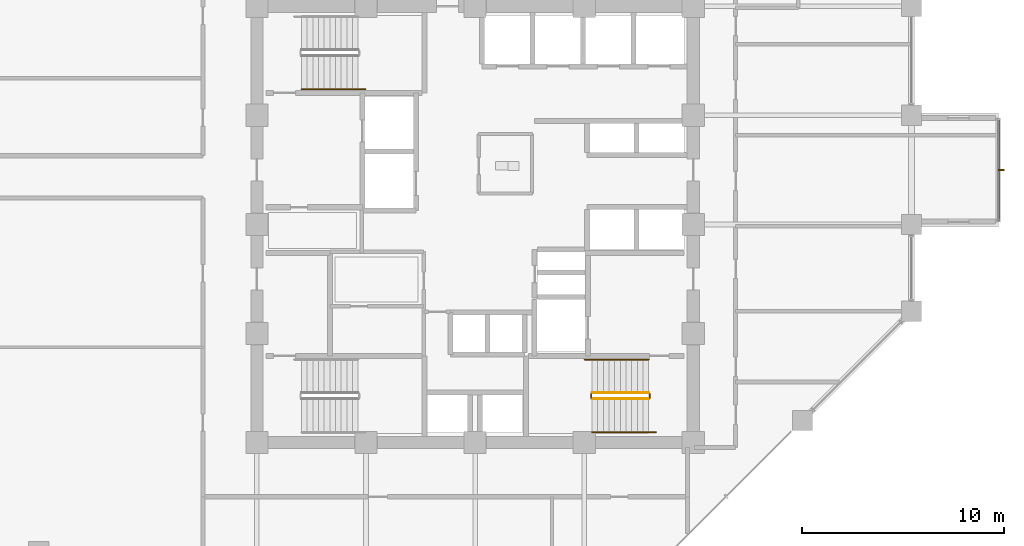
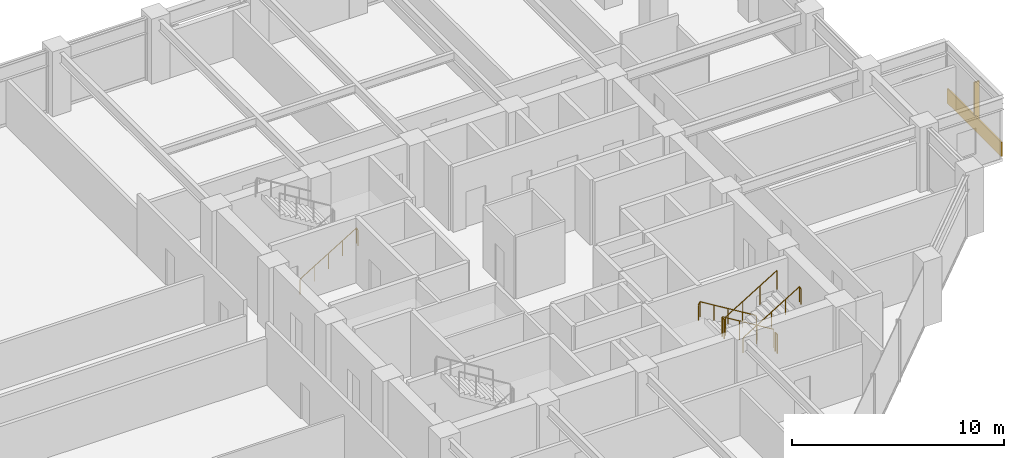
# One storey, part 24 of 26: 7 railings, 1 covering, 1 shading device.
"""IFC4 building model written with IfcOpenShell, lengths in metres."""

from ifc_helpers import new_model, si_unit, direction, frame, origin, origin_2d, place, context, subcontext, project, spatial, rectangle, circle, extrude, material, layer, layer_set, type_object, element, save


model = new_model("IFC4")

# Units and contexts
model_context = context("Model", 3, precision=1e-05, world=origin(), true_north=direction((0.0, 1.0)))
body_context = subcontext(model_context, "Body", "Model", "MODEL_VIEW")
ifc_project = project(units=[si_unit("LENGTHUNIT", "METRE"), si_unit("AREAUNIT", "SQUARE_METRE"), si_unit("VOLUMEUNIT", "CUBIC_METRE"), si_unit("PLANEANGLEUNIT", "RADIAN"), si_unit("MASSUNIT", "GRAM", prefix="KILO")], contexts=[model_context])

# Site, building, storey
site_placement = place(None, origin())
site = spatial("IfcSite", under=ifc_project, at=site_placement, CompositionType="ELEMENT")
building_placement = place(site_placement, origin())
building = spatial("IfcBuilding", under=site, at=building_placement, Name="Surkhivell Harbour Commons", CompositionType="ELEMENT")
storey_placement = place(building_placement, frame((0.0, 0.0, 147.0)))
storey = spatial("IfcBuildingStorey", under=building, at=storey_placement, Name="L38", CompositionType="ELEMENT", Elevation=147.0)

# Covering
ifc_material_1 = material(Name="Cobalt-azure enamelled aluminium cassette panel", Category="aluminium")
ifc_layer = layer(ifc_material_1, 0.072021484375)
ifc_layer_set = layer_set([ifc_layer], Name="Cobalt-azure enamelled aluminium cassette panel")
covering_type = type_object("IfcCoveringType", Name="COV-CLAD-COB", PredefinedType="CLADDING", material=ifc_layer_set)
covering_placement = place(storey_placement, frame((25.93994140625, 2.699951171875, 0.0), z_axis=(0.0, 0.0, 1.0), x_axis=(1.0, 0.0, 0.0)))
element("IfcCovering", 1, at=covering_placement, inside=storey, type_object=covering_type, Name="L38 Coloured-Panel Box Spandrel Cassette 01", PredefinedType="CLADDING", context=body_context, shape_type="SweptSolid", body=[
    extrude(rectangle(XDim=0.080078125, YDim=5.10009765625, at=origin_2d()), origin(), (0.0, 0.0, 1.0), 0.840087890625),
])

# Railings
ifc_material_2 = material(Name="Galvanised and painted steel S355 guard rail", Category="steel")
railing_type_1 = type_object("IfcRailingType", Name="RAL-ST-GRD1100", PredefinedType="GUARDRAIL", material=ifc_material_2)
railing_1_placement = place(storey_placement, frame((8.590087890625, -8.340087890625, 0.17041015625)))
element("IfcRailing", 2, at=railing_1_placement, inside=storey, type_object=railing_type_1, Name="L38 ST2 stair guard 1", PredefinedType="GUARDRAIL", context=body_context, shape_type="SweptSolid", body=[
    extrude(circle(Radius=0.02392578125, at=origin_2d()), frame((0.0, 0.0, 1.076171875), z_axis=(-0.854169791009, 0.0, 0.51999420009), x_axis=(0.0, -1.0, 0.0)), (0.0, 0.0, 1.0), 3.278076171875),
    extrude(circle(Radius=0.02099609375, at=origin_2d()), origin(), (0.0, 0.0, 1.0), 1.052001953125),
    extrude(circle(Radius=0.02099609375, at=origin_2d()), frame((-0.933349609375, 0.0, 0.568115234375)), (0.0, 0.0, 1.0), 1.052001953125),
    extrude(circle(Radius=0.02099609375, at=origin_2d()), frame((-1.86669921875, 0.0, 1.136474609375)), (0.0, 0.0, 1.0), 1.052001953125),
    extrude(circle(Radius=0.02099609375, at=origin_2d()), frame((-2.800048828125, 0.0, 1.70458984375)), (0.0, 0.0, 1.0), 1.052001953125),
])
railing_2_placement = place(storey_placement, frame((5.739990234375, -8.389892578125, 1.875)))
element("IfcRailing", 3, at=railing_2_placement, inside=storey, type_object=railing_type_1, Name="L38 ST2 stair guard 2", PredefinedType="GUARDRAIL", context=body_context, shape_type="SweptSolid", body=[
    extrude(circle(Radius=0.02392578125, at=origin_2d()), frame((0.0, 0.0, 1.076171875), z_axis=(0.0, -1.0, 0.0), x_axis=(1.0, 0.0, 0.0)), (0.0, 0.0, 1.0), 0.2001953125),
    extrude(circle(Radius=0.02099609375, at=origin_2d()), origin(), (0.0, 0.0, 1.0), 1.052001953125),
    extrude(circle(Radius=0.02099609375, at=origin_2d()), frame((0.0, -0.2001953125, 0.0)), (0.0, 0.0, 1.0), 1.052001953125),
])
railing_3_placement = place(storey_placement, frame((5.7900390625, -8.639892578125, 2.04541015625)))
element("IfcRailing", 4, at=railing_3_placement, inside=storey, type_object=railing_type_1, Name="L38 ST2 stair guard 3", PredefinedType="GUARDRAIL", context=body_context, shape_type="SweptSolid", body=[
    extrude(circle(Radius=0.02392578125, at=origin_2d()), frame((0.0, 0.0, 1.076171875), z_axis=(0.854169791009, 0.0, 0.51999420009), x_axis=(0.0, 1.0, 0.0)), (0.0, 0.0, 1.0), 3.278076171875),
    extrude(circle(Radius=0.02099609375, at=origin_2d()), origin(), (0.0, 0.0, 1.0), 1.052001953125),
    extrude(circle(Radius=0.02099609375, at=origin_2d()), frame((0.933349609375, 0.0, 0.568115234375)), (0.0, 0.0, 1.0), 1.052001953125),
    extrude(circle(Radius=0.02099609375, at=origin_2d()), frame((1.86669921875, 0.0, 1.136474609375)), (0.0, 0.0, 1.0), 1.052001953125),
    extrude(circle(Radius=0.02099609375, at=origin_2d()), frame((2.800048828125, 0.0, 1.70458984375)), (0.0, 0.0, 1.0), 1.052001953125),
])
railing_4_placement = place(storey_placement, frame((8.639892578125, -8.389892578125, 0.0)))
element("IfcRailing", 5, at=railing_4_placement, inside=storey, type_object=railing_type_1, Name="L38 ST2 stair guard 4", PredefinedType="GUARDRAIL", context=body_context, shape_type="SweptSolid", body=[
    extrude(circle(Radius=0.02392578125, at=origin_2d()), frame((0.0, 0.0, 1.076171875), z_axis=(0.0, -1.0, 0.0), x_axis=(1.0, 0.0, 0.0)), (0.0, 0.0, 1.0), 0.2001953125),
    extrude(circle(Radius=0.02099609375, at=origin_2d()), origin(), (0.0, 0.0, 1.0), 1.052001953125),
    extrude(circle(Radius=0.02099609375, at=origin_2d()), frame((0.0, -0.2001953125, 0.0)), (0.0, 0.0, 1.0), 1.052001953125),
])
ifc_material_3 = material(Name="Brushed stainless steel S355 handrail", Category="steel")
railing_type_2 = type_object("IfcRailingType", Name="RAL-ST-HND900", PredefinedType="HANDRAIL", material=ifc_material_3)
railing_5_placement = place(storey_placement, frame((-8.590087890625, 6.68994140625, 0.17041015625)))
element("IfcRailing", 6, at=railing_5_placement, inside=storey, type_object=railing_type_2, Name="L38 ST1 stair handrail 1", PredefinedType="HANDRAIL", context=body_context, shape_type="SweptSolid", body=[
    extrude(circle(Radius=0.02392578125, at=origin_2d()), frame((0.0, 0.0, 0.8759765625), z_axis=(0.854177636135, 0.0, 0.519981313056), x_axis=(0.0, 1.0, 0.0)), (0.0, 0.0, 1.0), 3.60595703125),
    extrude(circle(Radius=0.02392578125, at=origin_2d()), frame((3.080078125, 0.0, 2.7509765625), z_axis=(0.425297416671, 0.0, -0.905053648892), x_axis=(0.0, 1.0, 0.0)), (0.0, 0.0, 1.0), 0.188232421875),
    extrude(circle(Radius=0.02099609375, at=origin_2d()), origin(), (0.0, 0.0, 1.0), 0.851806640625),
    extrude(circle(Radius=0.02099609375, at=origin_2d()), frame((0.77001953125, 0.0, 0.46875)), (0.0, 0.0, 1.0), 0.851806640625),
    extrude(circle(Radius=0.02099609375, at=origin_2d()), frame((1.5400390625, 0.0, 0.9375)), (0.0, 0.0, 1.0), 0.851806640625),
    extrude(circle(Radius=0.02099609375, at=origin_2d()), frame((2.31005859375, 0.0, 1.40625)), (0.0, 0.0, 1.0), 0.851806640625),
    extrude(circle(Radius=0.02099609375, at=origin_2d()), frame((3.080078125, 0.0, 1.875)), (0.0, 0.0, 1.0), 0.851806640625),
    extrude(circle(Radius=0.02099609375, at=origin_2d()), frame((3.16015625, 0.0, 1.70458984375)), (0.0, 0.0, 1.0), 0.851806640625),
])
railing_6_placement = place(storey_placement, frame((8.590087890625, -6.68994140625, 0.17041015625)))
element("IfcRailing", 7, at=railing_6_placement, inside=storey, type_object=railing_type_2, Name="L38 ST2 stair handrail 1", PredefinedType="HANDRAIL", context=body_context, shape_type="SweptSolid", body=[
    extrude(circle(Radius=0.02392578125, at=origin_2d()), frame((0.0, 0.0, 0.8759765625), z_axis=(-0.854177636135, 0.0, 0.519981313056), x_axis=(0.0, -1.0, 0.0)), (0.0, 0.0, 1.0), 3.60595703125),
    extrude(circle(Radius=0.02392578125, at=origin_2d()), frame((-3.080078125, 0.0, 2.7509765625), z_axis=(-0.425297416671, 0.0, -0.905053648892), x_axis=(0.0, -1.0, 0.0)), (0.0, 0.0, 1.0), 0.188232421875),
    extrude(circle(Radius=0.02099609375, at=origin_2d()), origin(), (0.0, 0.0, 1.0), 0.851806640625),
    extrude(circle(Radius=0.02099609375, at=origin_2d()), frame((-0.77001953125, 0.0, 0.46875)), (0.0, 0.0, 1.0), 0.851806640625),
    extrude(circle(Radius=0.02099609375, at=origin_2d()), frame((-1.5400390625, 0.0, 0.9375)), (0.0, 0.0, 1.0), 0.851806640625),
    extrude(circle(Radius=0.02099609375, at=origin_2d()), frame((-2.31005859375, 0.0, 1.40625)), (0.0, 0.0, 1.0), 0.851806640625),
    extrude(circle(Radius=0.02099609375, at=origin_2d()), frame((-3.080078125, 0.0, 1.875)), (0.0, 0.0, 1.0), 0.851806640625),
    extrude(circle(Radius=0.02099609375, at=origin_2d()), frame((-3.16015625, 0.0, 1.70458984375)), (0.0, 0.0, 1.0), 0.851806640625),
])
railing_7_placement = place(storey_placement, frame((5.7900390625, -10.2900390625, 2.04541015625)))
element("IfcRailing", 8, at=railing_7_placement, inside=storey, type_object=railing_type_2, Name="L38 ST2 stair handrail 2", PredefinedType="HANDRAIL", context=body_context, shape_type="SweptSolid", body=[
    extrude(circle(Radius=0.02392578125, at=origin_2d()), frame((0.0, 0.0, 0.8759765625), z_axis=(0.854177636135, 0.0, 0.519981313056), x_axis=(0.0, 1.0, 0.0)), (0.0, 0.0, 1.0), 3.60595703125),
    extrude(circle(Radius=0.02392578125, at=origin_2d()), frame((3.080078125, 0.0, 2.7509765625), z_axis=(0.424234432967, 0.0, -0.905552398199), x_axis=(0.0, 1.0, 0.0)), (0.0, 0.0, 1.0), 0.188232421875),
    extrude(circle(Radius=0.02099609375, at=origin_2d()), origin(), (0.0, 0.0, 1.0), 0.851806640625),
    extrude(circle(Radius=0.02099609375, at=origin_2d()), frame((0.77001953125, 0.0, 0.46875)), (0.0, 0.0, 1.0), 0.851806640625),
    extrude(circle(Radius=0.02099609375, at=origin_2d()), frame((1.5400390625, 0.0, 0.9375)), (0.0, 0.0, 1.0), 0.851806640625),
    extrude(circle(Radius=0.02099609375, at=origin_2d()), frame((2.31005859375, 0.0, 1.40625)), (0.0, 0.0, 1.0), 0.851806640625),
    extrude(circle(Radius=0.02099609375, at=origin_2d()), frame((3.080078125, 0.0, 1.875)), (0.0, 0.0, 1.0), 0.851806640625),
    extrude(circle(Radius=0.02099609375, at=origin_2d()), frame((3.159912109375, 0.0, 1.70458984375)), (0.0, 0.0, 1.0), 0.851806640625),
])

# Shading device
ifc_material_4 = material(Name="Champagne anodised aluminium solar fin", Category="aluminium")
shading_device_type = type_object("IfcShadingDeviceType", Name="SHD-FIN-SLIM", PredefinedType="USERDEFINED", material=ifc_material_4)
shading_device_placement = place(storey_placement, frame((26.0400390625, 2.699951171875, 0.0048828125), z_axis=(0.0, 0.0, 1.0), x_axis=(1.0, 0.0, 0.0)))
element("IfcShadingDevice", 9, at=shading_device_placement, inside=storey, type_object=shading_device_type, Name="L38 Coloured-Box Solar Fin 01", ObjectType="FIN", PredefinedType="USERDEFINED", context=body_context, shape_type="SweptSolid", body=[
    extrude(rectangle(XDim=0.280029296875, YDim=0.080078125, at=origin_2d()), origin(), (0.0, 0.0, 1.0), 2.75),
])

save(model, "model.ifc")
